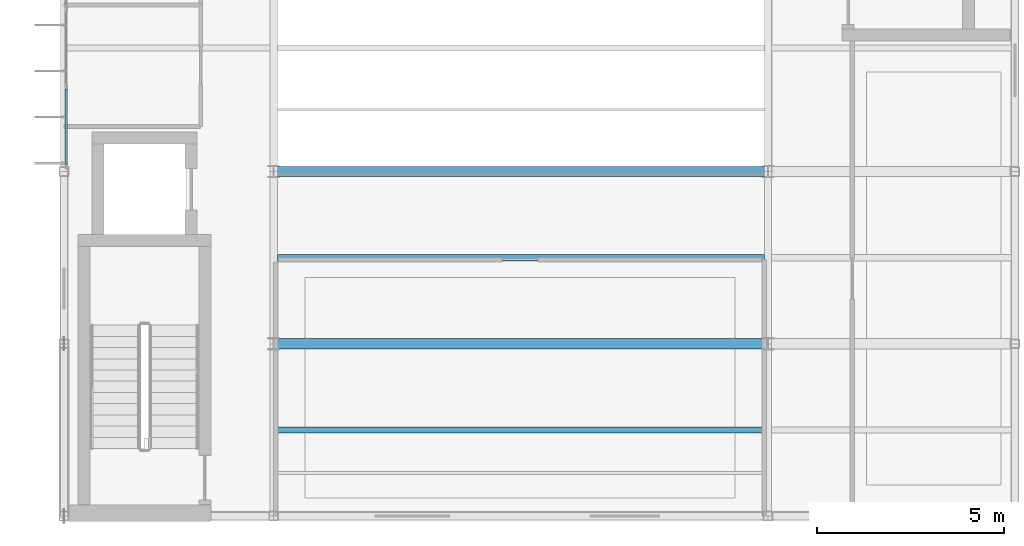
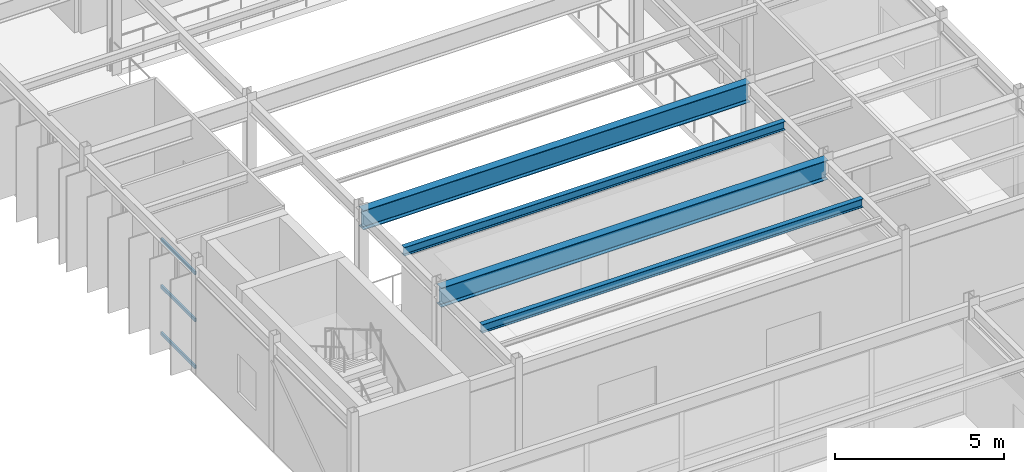
# One storey, part 33 of 148: 4 beams, 3 members, 1 element without a shape of its own.
"""IFC4 building model written with IfcOpenShell, lengths in metres."""

from ifc_helpers import new_model, si_unit, direction, frame, origin, origin_2d, place, context, subcontext, project, spatial, hollow_rectangle, i_section, extrude, material, material_profile, profile_set, type_object, element, aggregate, save


model = new_model("IFC4")

# Units and contexts
model_context = context("Model", 3, precision=1e-05, world=origin(), true_north=direction((0.0, 1.0)))
body_context = subcontext(model_context, "Body", "Model", "MODEL_VIEW")
ifc_project = project(units=[si_unit("LENGTHUNIT", "METRE"), si_unit("AREAUNIT", "SQUARE_METRE"), si_unit("VOLUMEUNIT", "CUBIC_METRE"), si_unit("PLANEANGLEUNIT", "RADIAN"), si_unit("MASSUNIT", "GRAM", prefix="KILO")], contexts=[model_context])

# Site, building, storey
site_placement = place(None, origin())
site = spatial("IfcSite", under=ifc_project, at=site_placement, CompositionType="ELEMENT")
building_placement = place(site_placement, origin())
building = spatial("IfcBuilding", under=site, at=building_placement, Name="Karori Crest Natural Sciences Institute", CompositionType="ELEMENT")
storey_placement = place(building_placement, frame((0.0, 0.0, 4.89990234375)))
storey = spatial("IfcBuildingStorey", under=building, at=storey_placement, Name="L01", CompositionType="ELEMENT", Elevation=4.89990234375)

# Beams
ifc_material_1 = material(Name="Structural steel AS/NZS 3679.1 Grade 350", Category="steel")
ifc_material_profile_1 = material_profile(ifc_material_1, i_section(OverallWidth=0.27490234375, OverallDepth=0.699951171875, WebThickness=0.010009765625, FlangeThickness=0.02001953125, FilletRadius=0.013916015625, at=origin_2d()), Name="700WB150")
ifc_profile_set_1 = profile_set([ifc_material_profile_1], Name="Structural steel AS/NZS 3679.1 Grade 350")
beam_type_1 = type_object("IfcBeamType", Name="BT-03", PredefinedType="BEAM", material=ifc_profile_set_1)
for number, where, z_axis, x_axis, name in (
    (1, (7.39990234375, 35.800048828125, 3.570068359375), (1.0, 0.0, 0.0), (0.0, 1.0, 0.0), "Beam B-1011"),
    (2, (7.39990234375, 40.39990234375, 3.570068359375), (1.0, 0.0, 0.0), (0.0, 1.0, 0.0), "Beam B-1013"),
):
    element("IfcBeam", number, at=place(storey_placement, frame(where, z_axis=z_axis, x_axis=x_axis)), inside=storey, type_object=beam_type_1, Name=name, PredefinedType="BEAM", context=body_context, shape_type="SweptSolid", body=[
        extrude(i_section(OverallWidth=0.27490234375, OverallDepth=0.699951171875, WebThickness=0.010009765625, FlangeThickness=0.02001953125, FilletRadius=0.013916015625, at=origin_2d()), origin(), (0.0, 0.0, 1.0), 13.2001953125),
    ])
ifc_material_profile_2 = material_profile(ifc_material_1, i_section(OverallWidth=0.166015625, OverallDepth=0.306884765625, WebThickness=0.006591796875, FlangeThickness=0.01171875, FilletRadius=0.010986328125, at=origin_2d()), Name="310UB46.2")
ifc_profile_set_2 = profile_set([ifc_material_profile_2], Name="Structural steel AS/NZS 3679.1 Grade 350")
beam_type_2 = type_object("IfcBeamType", Name="BT-09", PredefinedType="BEAM", material=ifc_profile_set_2)
for number, where, z_axis, x_axis, name in (
    (3, (7.49560546875, 33.5, 3.7666015625), (1.0, 0.0, 0.0), (0.0, 1.0, 0.0), "Beam B-1061"),
    (4, (7.49560546875, 38.10009765625, 3.7666015625), (1.0, 0.0, 0.0), (0.0, 1.0, 0.0), "Beam B-1063"),
):
    element("IfcBeam", number, at=place(storey_placement, frame(where, z_axis=z_axis, x_axis=x_axis)), inside=storey, type_object=beam_type_2, Name=name, PredefinedType="BEAM", context=body_context, shape_type="SweptSolid", body=[
        extrude(i_section(OverallWidth=0.166015625, OverallDepth=0.306884765625, WebThickness=0.006591796875, FlangeThickness=0.01171875, FilletRadius=0.010986328125, at=origin_2d()), origin(), (0.0, 0.0, 1.0), 13.0087890625),
    ])

# Curtain wall, members
ifc_material_2 = material(Name="Anodised architectural aluminium 6063-T6", Category="aluminium")
curtain_wall_type = type_object("IfcCurtainWallType", Name="CWT-17", PredefinedType="NOTDEFINED", material=ifc_material_2)
curtain_wall_placement = place(storey_placement, origin())
curtain_wall = element("IfcCurtainWall", 5, at=curtain_wall_placement, inside=storey, type_object=curtain_wall_type, Name="Curtain wall CW-0262", PredefinedType="NOTDEFINED")
ifc_material_profile_3 = material_profile(ifc_material_2, hollow_rectangle(XDim=0.06005859375, YDim=0.1201171875, WallThickness=0.00390625, at=origin_2d()), Name="CWT120x60x4")
ifc_profile_set_3 = profile_set([ifc_material_profile_3], Name="Anodised architectural aluminium 6063-T6")
member_type = type_object("IfcMemberType", Name="CWT-TR1", PredefinedType="USERDEFINED", material=ifc_profile_set_3)
member_1_placement = place(storey_placement, frame((1.860107421875, 40.587890625, 0.030029296875), z_axis=(0.0, 1.0, 0.0), x_axis=(-1.0, 0.0, 0.0)))
member_1 = element("IfcMember", 6, at=member_1_placement, type_object=member_type, Name="CW-0262 transom 1.1", ObjectType="TRANSOM", PredefinedType="USERDEFINED", context=body_context, shape_type="SweptSolid", body=[
    extrude(hollow_rectangle(XDim=0.06005859375, YDim=0.1201171875, WallThickness=0.00390625, at=origin_2d()), origin(), (0.0, 0.0, 1.0), 2.0205078125),
])
member_2_placement = place(storey_placement, frame((1.860107421875, 40.587890625, 1.72265625), z_axis=(0.0, 1.0, 0.0), x_axis=(-1.0, 0.0, 0.0)))
member_2 = element("IfcMember", 7, at=member_2_placement, type_object=member_type, Name="CW-0262 transom 1.2", ObjectType="TRANSOM", PredefinedType="USERDEFINED", context=body_context, shape_type="SweptSolid", body=[
    extrude(hollow_rectangle(XDim=0.06005859375, YDim=0.1201171875, WallThickness=0.00390625, at=origin_2d()), origin(), (0.0, 0.0, 1.0), 2.0205078125),
])
member_3_placement = place(storey_placement, frame((1.860107421875, 40.587890625, 3.4150390625), z_axis=(0.0, 1.0, 0.0), x_axis=(-1.0, 0.0, 0.0)))
member_3 = element("IfcMember", 8, at=member_3_placement, type_object=member_type, Name="CW-0262 transom 1.3", ObjectType="TRANSOM", PredefinedType="USERDEFINED", context=body_context, shape_type="SweptSolid", body=[
    extrude(hollow_rectangle(XDim=0.06005859375, YDim=0.1201171875, WallThickness=0.00390625, at=origin_2d()), origin(), (0.0, 0.0, 1.0), 2.0205078125),
])
aggregate(curtain_wall, [member_1, member_2, member_3])

save(model, "model.ifc")
